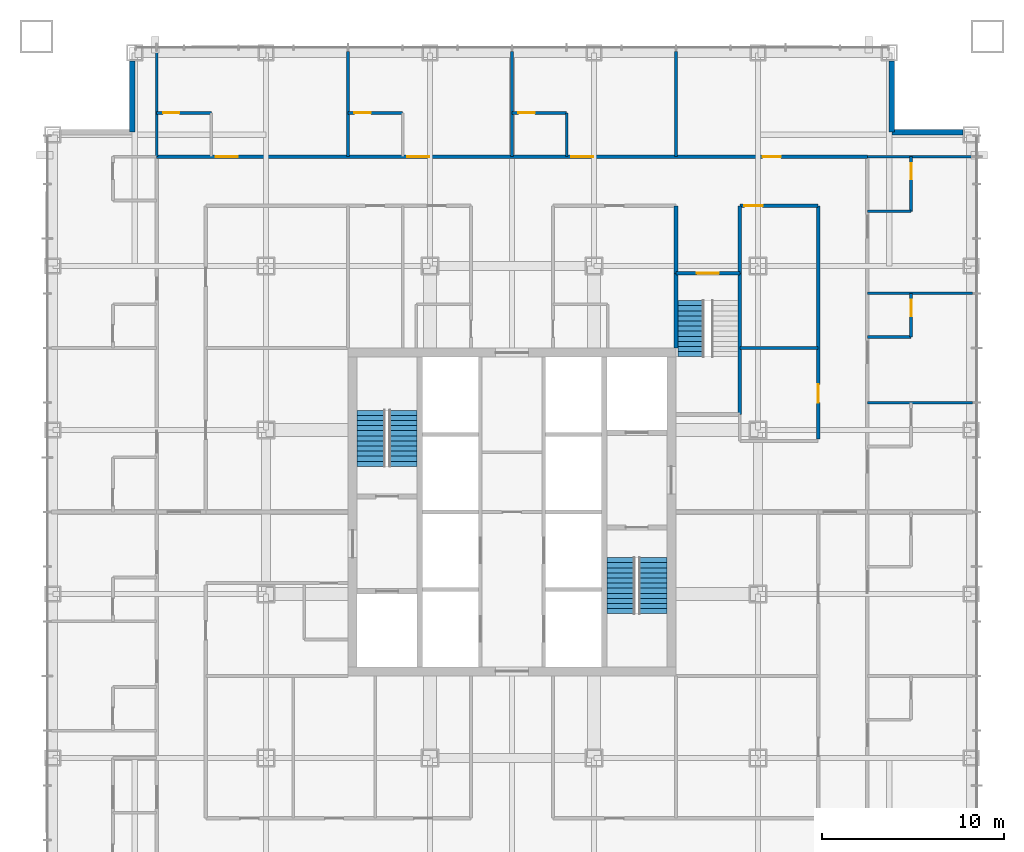
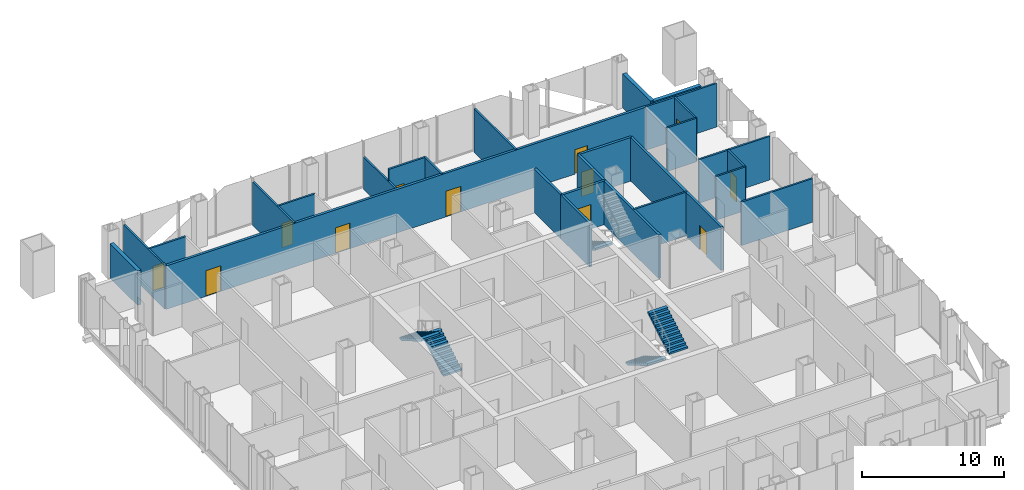
# One storey, part 11 of 13: 27 walls, 12 doors, 5 stair flights, 12 openings, 3 elements without a shape of their own.
"""IFC4 building model written with IfcOpenShell, lengths in metres."""

from ifc_helpers import new_model, si_unit, direction, frame, frame_2d, origin, place, context, subcontext, project, spatial, polyline, rectangle, outline, extrude, material, layer, layer_set, type_object, element, fill, aggregate, save


model = new_model("IFC4")

# Units and contexts
model_context = context("Model", 3, precision=1e-05, world=origin(), true_north=direction((0.0, 1.0)))
body_context = subcontext(model_context, "Body", "Model", "MODEL_VIEW")
ifc_project = project(units=[si_unit("LENGTHUNIT", "METRE"), si_unit("AREAUNIT", "SQUARE_METRE"), si_unit("VOLUMEUNIT", "CUBIC_METRE"), si_unit("PLANEANGLEUNIT", "RADIAN"), si_unit("MASSUNIT", "GRAM", prefix="KILO")], contexts=[model_context])

# Site, building, storey
site_placement = place(None, origin())
site = spatial("IfcSite", under=ifc_project, at=site_placement, CompositionType="ELEMENT")
building_placement = place(site_placement, origin())
building = spatial("IfcBuilding", under=site, at=building_placement, Name="Malebo Sky Hospital", CompositionType="ELEMENT")
storey_placement = place(building_placement, frame((0.0, 0.0, 35.0)))
storey = spatial("IfcBuildingStorey", under=building, at=storey_placement, Name="L07", CompositionType="ELEMENT", Elevation=35.0)

# Wall, openings, doors
ifc_material_1 = material(Name="Gypsum board on steel studs", Category="steel")
ifc_layer_1 = layer(ifc_material_1, 0.199951171875)
ifc_layer_set_1 = layer_set([ifc_layer_1], Name="CORRIDOR WALL 200")
wall_type_1 = type_object("IfcWallType", Name="CORRIDOR WALL 200", PredefinedType="PARTITIONING", material=ifc_layer_set_1)
wall_1_placement = place(storey_placement, frame((40.5, 81.5, 0.0), z_axis=(0.0, 0.0, 1.0), x_axis=(1.0, 0.0, 0.0)))
wall_1 = element("IfcWall", 1, at=wall_1_placement, inside=storey, type_object=wall_type_1, Name="Corridor Wall 200 NCO", PredefinedType="PARTITIONING", context=body_context, shape_type="SweptSolid", body=[
    extrude(rectangle(XDim=39.0, YDim=0.199951171875, at=frame_2d((19.5, 0.0))), origin(), (0.0, 0.0, 1.0), 3.75),
])
opening_1_placement = place(wall_1_placement, frame((3.25, 0.0, 0.0)))
opening_1 = element("IfcOpeningElement", 2, at=opening_1_placement, cuts=wall_1, Name="Opening D01", PredefinedType="OPENING", context=body_context, shape_type="SweptSolid", body=[
    extrude(rectangle(XDim=1.199951171875, YDim=2.199951171875, at=frame_2d((0.60009765625, 1.10009765625))), frame((0.0, 0.10986328125, 0.0), z_axis=(0.0, -1.0, 0.0), x_axis=(1.0, 0.0, 0.0)), (0.0, 0.0, 1.0), 0.219970703125),
])
opening_2_placement = place(wall_1_placement, frame((13.75, 0.0, 0.0)))
opening_2 = element("IfcOpeningElement", 3, at=opening_2_placement, cuts=wall_1, Name="Opening D01", PredefinedType="OPENING", context=body_context, shape_type="SweptSolid", body=[
    extrude(rectangle(XDim=1.199951171875, YDim=2.199951171875, at=frame_2d((0.60009765625, 1.10009765625))), frame((0.0, 0.10986328125, 0.0), z_axis=(0.0, -1.0, 0.0), x_axis=(1.0, 0.0, 0.0)), (0.0, 0.0, 1.0), 0.219970703125),
])
opening_3_placement = place(wall_1_placement, frame((22.75, 0.0, 0.0)))
opening_3 = element("IfcOpeningElement", 4, at=opening_3_placement, cuts=wall_1, Name="Opening D01", PredefinedType="OPENING", context=body_context, shape_type="SweptSolid", body=[
    extrude(rectangle(XDim=1.199951171875, YDim=2.199951171875, at=frame_2d((0.60009765625, 1.10009765625))), frame((0.0, 0.10986328125, 0.0), z_axis=(0.0, -1.0, 0.0), x_axis=(1.0, 0.0, 0.0)), (0.0, 0.0, 1.0), 0.219970703125),
])
opening_4_placement = place(wall_1_placement, frame((33.25, 0.0, 0.0)))
opening_4 = element("IfcOpeningElement", 5, at=opening_4_placement, cuts=wall_1, Name="Opening D03", PredefinedType="OPENING", context=body_context, shape_type="SweptSolid", body=[
    extrude(rectangle(XDim=1.0, YDim=2.10009765625, at=frame_2d((0.5, 1.050048828125))), frame((0.0, 0.10986328125, 0.0), z_axis=(0.0, -1.0, 0.0), x_axis=(1.0, 0.0, 0.0)), (0.0, 0.0, 1.0), 0.219970703125),
])
ifc_material_2 = material(Name="Hardwood-faced door leaf in steel frame", Category="steel")
door_type_1 = type_object("IfcDoorType", Name="BED DOOR 1200", OperationType="SINGLE_SWING_LEFT", PredefinedType="DOOR", material=ifc_material_2)
door_1_placement = place(opening_1_placement, origin())
door_1 = element("IfcDoor", 6, at=door_1_placement, inside=storey, type_object=door_type_1, Name="Observation bay door", OperationType="SINGLE_SWING_LEFT", OverallHeight=2.199951171875, OverallWidth=1.199951171875, PredefinedType="DOOR", context=body_context, shape_type="SweptSolid", body=[
    extrude(rectangle(XDim=1.199951171875, YDim=2.199951171875, at=frame_2d((0.60009765625, 1.10009765625))), frame((0.0, 0.02490234375, 0.0), z_axis=(0.0, -1.0, 0.0), x_axis=(1.0, 0.0, 0.0)), (0.0, 0.0, 1.0), 0.050048828125),
])
fill(opening_1, door_1)
door_2_placement = place(opening_2_placement, origin())
door_2 = element("IfcDoor", 7, at=door_2_placement, inside=storey, type_object=door_type_1, Name="Two-bed room door", OperationType="SINGLE_SWING_LEFT", OverallHeight=2.199951171875, OverallWidth=1.199951171875, PredefinedType="DOOR", context=body_context, shape_type="SweptSolid", body=[
    extrude(rectangle(XDim=1.199951171875, YDim=2.199951171875, at=frame_2d((0.60009765625, 1.10009765625))), frame((0.0, 0.02490234375, 0.0), z_axis=(0.0, -1.0, 0.0), x_axis=(1.0, 0.0, 0.0)), (0.0, 0.0, 1.0), 0.050048828125),
])
fill(opening_2, door_2)
door_3_placement = place(opening_3_placement, origin())
door_3 = element("IfcDoor", 8, at=door_3_placement, inside=storey, type_object=door_type_1, Name="Two-bed room door", OperationType="SINGLE_SWING_LEFT", OverallHeight=2.199951171875, OverallWidth=1.199951171875, PredefinedType="DOOR", context=body_context, shape_type="SweptSolid", body=[
    extrude(rectangle(XDim=1.199951171875, YDim=2.199951171875, at=frame_2d((0.60009765625, 1.10009765625))), frame((0.0, 0.02490234375, 0.0), z_axis=(0.0, -1.0, 0.0), x_axis=(1.0, 0.0, 0.0)), (0.0, 0.0, 1.0), 0.050048828125),
])
fill(opening_3, door_3)
door_type_2 = type_object("IfcDoorType", Name="ROOM DOOR 1000", OperationType="SINGLE_SWING_LEFT", PredefinedType="DOOR", material=ifc_material_2)
door_4_placement = place(opening_4_placement, origin())
door_4 = element("IfcDoor", 9, at=door_4_placement, inside=storey, type_object=door_type_2, Name="Patient day room door", OperationType="SINGLE_SWING_RIGHT", OverallHeight=2.10009765625, OverallWidth=1.0, PredefinedType="DOOR", context=body_context, shape_type="SweptSolid", body=[
    extrude(rectangle(XDim=1.0, YDim=2.10009765625, at=frame_2d((0.5, 1.050048828125))), frame((0.0, 0.02490234375, 0.0), z_axis=(0.0, -1.0, 0.0), x_axis=(1.0, 0.0, 0.0)), (0.0, 0.0, 1.0), 0.050048828125),
])
fill(opening_4, door_4)

# Wall, opening, door
wall_2_placement = place(storey_placement, frame((72.5, 78.800048828125, 0.0), z_axis=(0.0, 0.0, 1.0), x_axis=(1.0, 0.0, 0.0)))
wall_2 = element("IfcWall", 10, at=wall_2_placement, inside=storey, type_object=wall_type_1, Name="Corridor Wall 200 NCI2/2", PredefinedType="PARTITIONING", context=body_context, shape_type="SweptSolid", body=[
    extrude(rectangle(XDim=4.300048828125, YDim=0.199951171875, at=frame_2d((2.14990234375, 0.0))), origin(), (0.0, 0.0, 1.0), 3.75),
])
opening_5_placement = place(wall_2_placement, frame((0.25, 0.0, 0.0)))
opening_5 = element("IfcOpeningElement", 11, at=opening_5_placement, cuts=wall_2, Name="Opening D03", PredefinedType="OPENING", context=body_context, shape_type="SweptSolid", body=[
    extrude(rectangle(XDim=1.0, YDim=2.10009765625, at=frame_2d((0.5, 1.050048828125))), frame((0.0, 0.10986328125, 0.0), z_axis=(0.0, -1.0, 0.0), x_axis=(1.0, 0.0, 0.0)), (0.0, 0.0, 1.0), 0.219970703125),
])
door_5_placement = place(opening_5_placement, origin())
door_5 = element("IfcDoor", 12, at=door_5_placement, inside=storey, type_object=door_type_2, Name="Treatment room door", OperationType="SINGLE_SWING_LEFT", OverallHeight=2.10009765625, OverallWidth=1.0, PredefinedType="DOOR", context=body_context, shape_type="SweptSolid", body=[
    extrude(rectangle(XDim=1.0, YDim=2.10009765625, at=frame_2d((0.5, 1.050048828125))), frame((0.0, 0.02490234375, 0.0), z_axis=(0.0, -1.0, 0.0), x_axis=(1.0, 0.0, 0.0)), (0.0, 0.0, 1.0), 0.050048828125),
])
fill(opening_5, door_5)

wall_3_placement = place(storey_placement, frame((76.800048828125, 78.800048828125, 0.0), z_axis=(0.0, 0.0, 1.0), x_axis=(0.0, -1.0, 0.0)))
wall_3 = element("IfcWall", 13, at=wall_3_placement, inside=storey, type_object=wall_type_1, Name="Corridor Wall 200 ECI1", PredefinedType="PARTITIONING", context=body_context, shape_type="SweptSolid", body=[
    extrude(rectangle(XDim=12.800048828125, YDim=0.199951171875, at=frame_2d((6.39990234375, 0.0))), origin(), (0.0, 0.0, 1.0), 3.75),
])
opening_6_placement = place(wall_3_placement, frame((9.800048828125, 0.0, 0.0)))
opening_6 = element("IfcOpeningElement", 14, at=opening_6_placement, cuts=wall_3, Name="Opening D03", PredefinedType="OPENING", context=body_context, shape_type="SweptSolid", body=[
    extrude(rectangle(XDim=1.0, YDim=2.10009765625, at=frame_2d((0.5, 1.050048828125))), frame((0.0, 0.10986328125, 0.0), z_axis=(0.0, -1.0, 0.0), x_axis=(1.0, 0.0, 0.0)), (0.0, 0.0, 1.0), 0.219970703125),
])
door_6_placement = place(opening_6_placement, origin())
door_6 = element("IfcDoor", 15, at=door_6_placement, inside=storey, type_object=door_type_2, Name="Clean utility room door", OperationType="SINGLE_SWING_LEFT", OverallHeight=2.10009765625, OverallWidth=1.0, PredefinedType="DOOR", context=body_context, shape_type="SweptSolid", body=[
    extrude(rectangle(XDim=1.0, YDim=2.10009765625, at=frame_2d((0.5, 1.050048828125))), frame((0.0, 0.02490234375, 0.0), z_axis=(0.0, -1.0, 0.0), x_axis=(1.0, 0.0, 0.0)), (0.0, 0.0, 1.0), 0.050048828125),
])
fill(opening_6, door_6)

# Walls
for number, where, z_axis, x_axis, name in (
    (16, (69.0, 75.10009765625, 0.0), (0.0, 0.0, 1.0), (0.0, 1.0, 0.0), "Corridor Wall 200 ST3AW"),
    (17, (72.5, 75.10009765625, 0.0), (0.0, 0.0, 1.0), (0.0, 1.0, 0.0), "Corridor Wall 200 ST3AE"),
):
    element("IfcWall", number, at=place(storey_placement, frame(where, z_axis=z_axis, x_axis=x_axis)), inside=storey, type_object=wall_type_1, Name=name, PredefinedType="PARTITIONING", context=body_context, shape_type="SweptSolid", body=[
        extrude(rectangle(XDim=3.699951171875, YDim=0.199951171875, at=frame_2d((1.85009765625, 0.0))), origin(), (0.0, 0.0, 1.0), 3.75),
    ])
ifc_material_3 = material(Name="Anodised aluminium rainscreen on steel framing", Category="steel")
ifc_layer_2 = layer(ifc_material_3, 0.300048828125)
ifc_layer_set_2 = layer_set([ifc_layer_2], Name="NOTCH RAINSCREEN WALL 300")
wall_type_2 = type_object("IfcWallType", Name="NOTCH RAINSCREEN WALL 300", PredefinedType="ELEMENTEDWALL", material=ifc_layer_set_2)
for number, where, z_axis, x_axis, name in (
    (18, (80.85009765625, 86.75, 0.0), (0.0, 0.0, 1.0), (0.0, -1.0, 0.0), "Notch rainscreen wall N1 L07"),
    (19, (80.85009765625, 82.85009765625, 0.0), (0.0, 0.0, 1.0), (1.0, 0.0, 0.0), "Notch rainscreen wall N2 L07"),
    (20, (39.14990234375, 82.85009765625, 0.0), (0.0, 0.0, 1.0), (0.0, 1.0, 0.0), "Notch rainscreen wall W2 L07"),
):
    element("IfcWall", number, at=place(storey_placement, frame(where, z_axis=z_axis, x_axis=x_axis)), inside=storey, type_object=wall_type_2, Name=name, PredefinedType="ELEMENTEDWALL", context=body_context, shape_type="SweptSolid", body=[
        extrude(rectangle(XDim=3.89990234375, YDim=0.300048828125, at=frame_2d((1.949951171875, 0.0))), origin(), (0.0, 0.0, 1.0), 2.949951171875),
    ])
ifc_layer_3 = layer(ifc_material_1, 0.14990234375)
ifc_layer_set_3 = layer_set([ifc_layer_3], Name="PARTITION 150")
wall_type_3 = type_object("IfcWallType", Name="PARTITION 150", PredefinedType="PARTITIONING", material=ifc_layer_set_3)
wall_4_placement = place(storey_placement, frame((51.0, 81.5, 0.0), z_axis=(0.0, 0.0, 1.0), x_axis=(0.0, 1.0, 0.0)))
element("IfcWall", 21, at=wall_4_placement, inside=storey, type_object=wall_type_3, Name="Partition 150 NP-9.0", PredefinedType="PARTITIONING", context=body_context, shape_type="SweptSolid", body=[
    extrude(rectangle(XDim=5.77490234375, YDim=0.14990234375, at=frame_2d((2.887451171875, 0.0))), origin(), (0.0, 0.0, 1.0), 3.75),
])
wall_5_placement = place(storey_placement, frame((60.0, 81.5, 0.0), z_axis=(0.0, 0.0, 1.0), x_axis=(0.0, 1.0, 0.0)))
element("IfcWall", 22, at=wall_5_placement, inside=storey, type_object=wall_type_3, Name="Partition 150 NP+0.0", PredefinedType="PARTITIONING", context=body_context, shape_type="SweptSolid", body=[
    extrude(rectangle(XDim=5.77490234375, YDim=0.14990234375, at=frame_2d((2.887451171875, 0.0))), origin(), (0.0, 0.0, 1.0), 2.75),
])
for number, where, z_axis, x_axis, name in (
    (23, (69.0, 81.5, 0.0), (0.0, 0.0, 1.0), (0.0, 1.0, 0.0), "Partition 150 NP+9.0"),
    (24, (40.5, 81.5, 0.0), (0.0, 0.0, 1.0), (0.0, 1.0, 0.0), "Partition 150 NP0"),
):
    element("IfcWall", number, at=place(storey_placement, frame(where, z_axis=z_axis, x_axis=x_axis)), inside=storey, type_object=wall_type_3, Name=name, PredefinedType="PARTITIONING", context=body_context, shape_type="SweptSolid", body=[
        extrude(rectangle(XDim=5.77490234375, YDim=0.14990234375, at=frame_2d((2.887451171875, 0.0))), origin(), (0.0, 0.0, 1.0), 3.75),
    ])

# Wall, opening, door
wall_6_placement = place(storey_placement, frame((40.5, 83.89990234375, 0.0), z_axis=(0.0, 0.0, 1.0), x_axis=(1.0, 0.0, 0.0)))
wall_6 = element("IfcWall", 25, at=wall_6_placement, inside=storey, type_object=wall_type_3, Name="Partition 150 NE0F", PredefinedType="PARTITIONING", context=body_context, shape_type="SweptSolid", body=[
    extrude(rectangle(XDim=3.0, YDim=0.14990234375, at=frame_2d((1.5, 0.0))), origin(), (0.0, 0.0, 1.0), 3.75),
])
opening_7_placement = place(wall_6_placement, frame((0.35009765625, 0.0, 0.0)))
opening_7 = element("IfcOpeningElement", 26, at=opening_7_placement, cuts=wall_6, Name="Opening D02", PredefinedType="OPENING", context=body_context, shape_type="SweptSolid", body=[
    extrude(rectangle(XDim=0.89990234375, YDim=2.10009765625, at=frame_2d((0.449951171875, 1.050048828125))), frame((0.0, 0.0849609375, 0.0), z_axis=(0.0, -1.0, 0.0), x_axis=(1.0, 0.0, 0.0)), (0.0, 0.0, 1.0), 0.169921875),
])
door_type_3 = type_object("IfcDoorType", Name="EN-SUITE DOOR 900", OperationType="SINGLE_SWING_LEFT", PredefinedType="DOOR", material=ifc_material_2)
door_7_placement = place(opening_7_placement, origin())
door_7 = element("IfcDoor", 27, at=door_7_placement, inside=storey, type_object=door_type_3, Name="En-suite door", OperationType="SINGLE_SWING_LEFT", OverallHeight=2.10009765625, OverallWidth=0.89990234375, PredefinedType="DOOR", context=body_context, shape_type="SweptSolid", body=[
    extrude(rectangle(XDim=0.89990234375, YDim=2.10009765625, at=frame_2d((0.449951171875, 1.050048828125))), frame((0.0, 0.02490234375, 0.0), z_axis=(0.0, -1.0, 0.0), x_axis=(1.0, 0.0, 0.0)), (0.0, 0.0, 1.0), 0.050048828125),
])
fill(opening_7, door_7)

wall_7_placement = place(storey_placement, frame((51.0, 83.89990234375, 0.0), z_axis=(0.0, 0.0, 1.0), x_axis=(1.0, 0.0, 0.0)))
wall_7 = element("IfcWall", 28, at=wall_7_placement, inside=storey, type_object=wall_type_3, Name="Partition 150 NE1F", PredefinedType="PARTITIONING", context=body_context, shape_type="SweptSolid", body=[
    extrude(rectangle(XDim=3.0, YDim=0.14990234375, at=frame_2d((1.5, 0.0))), origin(), (0.0, 0.0, 1.0), 3.75),
])
opening_8_placement = place(wall_7_placement, frame((0.35009765625, 0.0, 0.0)))
opening_8 = element("IfcOpeningElement", 29, at=opening_8_placement, cuts=wall_7, Name="Opening D02", PredefinedType="OPENING", context=body_context, shape_type="SweptSolid", body=[
    extrude(rectangle(XDim=0.89990234375, YDim=2.10009765625, at=frame_2d((0.449951171875, 1.050048828125))), frame((0.0, 0.0849609375, 0.0), z_axis=(0.0, -1.0, 0.0), x_axis=(1.0, 0.0, 0.0)), (0.0, 0.0, 1.0), 0.169921875),
])
door_8_placement = place(opening_8_placement, origin())
door_8 = element("IfcDoor", 30, at=door_8_placement, inside=storey, type_object=door_type_3, Name="En-suite door", OperationType="SINGLE_SWING_LEFT", OverallHeight=2.10009765625, OverallWidth=0.89990234375, PredefinedType="DOOR", context=body_context, shape_type="SweptSolid", body=[
    extrude(rectangle(XDim=0.89990234375, YDim=2.10009765625, at=frame_2d((0.449951171875, 1.050048828125))), frame((0.0, 0.02490234375, 0.0), z_axis=(0.0, -1.0, 0.0), x_axis=(1.0, 0.0, 0.0)), (0.0, 0.0, 1.0), 0.050048828125),
])
fill(opening_8, door_8)

wall_8_placement = place(storey_placement, frame((60.0, 83.89990234375, 0.0), z_axis=(0.0, 0.0, 1.0), x_axis=(1.0, 0.0, 0.0)))
wall_8 = element("IfcWall", 31, at=wall_8_placement, inside=storey, type_object=wall_type_3, Name="Partition 150 NE2F", PredefinedType="PARTITIONING", context=body_context, shape_type="SweptSolid", body=[
    extrude(rectangle(XDim=3.0, YDim=0.14990234375, at=frame_2d((1.5, 0.0))), origin(), (0.0, 0.0, 1.0), 3.75),
])
opening_9_placement = place(wall_8_placement, frame((0.35009765625, 0.0, 0.0)))
opening_9 = element("IfcOpeningElement", 32, at=opening_9_placement, cuts=wall_8, Name="Opening D02", PredefinedType="OPENING", context=body_context, shape_type="SweptSolid", body=[
    extrude(rectangle(XDim=0.89990234375, YDim=2.10009765625, at=frame_2d((0.449951171875, 1.050048828125))), frame((0.0, 0.0849609375, 0.0), z_axis=(0.0, -1.0, 0.0), x_axis=(1.0, 0.0, 0.0)), (0.0, 0.0, 1.0), 0.169921875),
])
door_9_placement = place(opening_9_placement, origin())
door_9 = element("IfcDoor", 33, at=door_9_placement, inside=storey, type_object=door_type_3, Name="En-suite door", OperationType="SINGLE_SWING_LEFT", OverallHeight=2.10009765625, OverallWidth=0.89990234375, PredefinedType="DOOR", context=body_context, shape_type="SweptSolid", body=[
    extrude(rectangle(XDim=0.89990234375, YDim=2.10009765625, at=frame_2d((0.449951171875, 1.050048828125))), frame((0.0, 0.02490234375, 0.0), z_axis=(0.0, -1.0, 0.0), x_axis=(1.0, 0.0, 0.0)), (0.0, 0.0, 1.0), 0.050048828125),
])
fill(opening_9, door_9)

# Walls
wall_9_placement = place(storey_placement, frame((63.0, 81.5, 0.0), z_axis=(0.0, 0.0, 1.0), x_axis=(0.0, 1.0, 0.0)))
element("IfcWall", 34, at=wall_9_placement, inside=storey, type_object=wall_type_3, Name="Partition 150 NE2S", PredefinedType="PARTITIONING", context=body_context, shape_type="SweptSolid", body=[
    extrude(rectangle(XDim=2.39990234375, YDim=0.14990234375, at=frame_2d((1.199951171875, 0.0))), origin(), (0.0, 0.0, 1.0), 3.75),
])
for number, where, z_axis, x_axis, name in (
    (35, (79.5, 74.0, 0.0), (0.0, 0.0, 1.0), (1.0, 0.0, 0.0), "Partition 150 EP-12.0"),
    (36, (79.5, 68.0, 0.0), (0.0, 0.0, 1.0), (1.0, 0.0, 0.0), "Partition 150 EP-6.0"),
    (37, (79.5, 81.5, 0.0), (0.0, 0.0, 1.0), (1.0, 0.0, 0.0), "Partition 150 EP0"),
):
    element("IfcWall", number, at=place(storey_placement, frame(where, z_axis=z_axis, x_axis=x_axis)), inside=storey, type_object=wall_type_3, Name=name, PredefinedType="PARTITIONING", context=body_context, shape_type="SweptSolid", body=[
        extrude(rectangle(XDim=5.77490234375, YDim=0.14990234375, at=frame_2d((2.887451171875, 0.0))), origin(), (0.0, 0.0, 1.0), 3.75),
    ])

# Wall, opening, door
wall_10_placement = place(storey_placement, frame((81.89990234375, 81.5, 0.0), z_axis=(0.0, 0.0, 1.0), x_axis=(0.0, -1.0, 0.0)))
wall_10 = element("IfcWall", 38, at=wall_10_placement, inside=storey, type_object=wall_type_3, Name="Partition 150 EE0F", PredefinedType="PARTITIONING", context=body_context, shape_type="SweptSolid", body=[
    extrude(rectangle(XDim=3.0, YDim=0.14990234375, at=frame_2d((1.5, 0.0))), origin(), (0.0, 0.0, 1.0), 3.75),
])
opening_10_placement = place(wall_10_placement, frame((0.35009765625, 0.0, 0.0)))
opening_10 = element("IfcOpeningElement", 39, at=opening_10_placement, cuts=wall_10, Name="Opening D02", PredefinedType="OPENING", context=body_context, shape_type="SweptSolid", body=[
    extrude(rectangle(XDim=0.89990234375, YDim=2.10009765625, at=frame_2d((0.449951171875, 1.050048828125))), frame((0.0, 0.0849609375, 0.0), z_axis=(0.0, -1.0, 0.0), x_axis=(1.0, 0.0, 0.0)), (0.0, 0.0, 1.0), 0.169921875),
])
door_10_placement = place(opening_10_placement, origin())
door_10 = element("IfcDoor", 40, at=door_10_placement, inside=storey, type_object=door_type_3, Name="En-suite door", OperationType="SINGLE_SWING_LEFT", OverallHeight=2.10009765625, OverallWidth=0.89990234375, PredefinedType="DOOR", context=body_context, shape_type="SweptSolid", body=[
    extrude(rectangle(XDim=0.89990234375, YDim=2.10009765625, at=frame_2d((0.449951171875, 1.050048828125))), frame((0.0, 0.02490234375, 0.0), z_axis=(0.0, -1.0, 0.0), x_axis=(1.0, 0.0, 0.0)), (0.0, 0.0, 1.0), 0.050048828125),
])
fill(opening_10, door_10)

# Wall
wall_11_placement = place(storey_placement, frame((79.5, 78.5, 0.0), z_axis=(0.0, 0.0, 1.0), x_axis=(1.0, 0.0, 0.0)))
element("IfcWall", 41, at=wall_11_placement, inside=storey, type_object=wall_type_3, Name="Partition 150 EE0S", PredefinedType="PARTITIONING", context=body_context, shape_type="SweptSolid", body=[
    extrude(rectangle(XDim=2.39990234375, YDim=0.14990234375, at=frame_2d((1.199951171875, 0.0))), origin(), (0.0, 0.0, 1.0), 3.75),
])

# Wall, opening, door
wall_12_placement = place(storey_placement, frame((81.89990234375, 74.0, 0.0), z_axis=(0.0, 0.0, 1.0), x_axis=(0.0, -1.0, 0.0)))
wall_12 = element("IfcWall", 42, at=wall_12_placement, inside=storey, type_object=wall_type_3, Name="Partition 150 EE1F", PredefinedType="PARTITIONING", context=body_context, shape_type="SweptSolid", body=[
    extrude(rectangle(XDim=2.39990234375, YDim=0.14990234375, at=frame_2d((1.199951171875, 0.0))), origin(), (0.0, 0.0, 1.0), 3.75),
])
opening_11_placement = place(wall_12_placement, frame((0.35009765625, 0.0, 0.0)))
opening_11 = element("IfcOpeningElement", 43, at=opening_11_placement, cuts=wall_12, Name="Opening D02", PredefinedType="OPENING", context=body_context, shape_type="SweptSolid", body=[
    extrude(rectangle(XDim=0.89990234375, YDim=2.10009765625, at=frame_2d((0.449951171875, 1.050048828125))), frame((0.0, 0.0849609375, 0.0), z_axis=(0.0, -1.0, 0.0), x_axis=(1.0, 0.0, 0.0)), (0.0, 0.0, 1.0), 0.169921875),
])
door_11_placement = place(opening_11_placement, origin())
door_11 = element("IfcDoor", 44, at=door_11_placement, inside=storey, type_object=door_type_3, Name="En-suite door", OperationType="SINGLE_SWING_LEFT", OverallHeight=2.10009765625, OverallWidth=0.89990234375, PredefinedType="DOOR", context=body_context, shape_type="SweptSolid", body=[
    extrude(rectangle(XDim=0.89990234375, YDim=2.10009765625, at=frame_2d((0.449951171875, 1.050048828125))), frame((0.0, 0.02490234375, 0.0), z_axis=(0.0, -1.0, 0.0), x_axis=(1.0, 0.0, 0.0)), (0.0, 0.0, 1.0), 0.050048828125),
])
fill(opening_11, door_11)

# Walls
wall_13_placement = place(storey_placement, frame((79.5, 71.60009765625, 0.0), z_axis=(0.0, 0.0, 1.0), x_axis=(1.0, 0.0, 0.0)))
element("IfcWall", 45, at=wall_13_placement, inside=storey, type_object=wall_type_3, Name="Partition 150 EE1S", PredefinedType="PARTITIONING", context=body_context, shape_type="SweptSolid", body=[
    extrude(rectangle(XDim=2.39990234375, YDim=0.14990234375, at=frame_2d((1.199951171875, 0.0))), origin(), (0.0, 0.0, 1.0), 3.75),
])
wall_14_placement = place(storey_placement, frame((72.5, 71.0, 0.0), z_axis=(0.0, 0.0, 1.0), x_axis=(1.0, 0.0, 0.0)))
element("IfcWall", 46, at=wall_14_placement, inside=storey, type_object=wall_type_3, Name="Partition 150 ESP0", PredefinedType="PARTITIONING", context=body_context, shape_type="SweptSolid", body=[
    extrude(rectangle(XDim=4.300048828125, YDim=0.14990234375, at=frame_2d((2.14990234375, 0.0))), origin(), (0.0, 0.0, 1.0), 3.75),
])
ifc_material_4 = material(Name="Concrete C40/50", Category="concrete")
ifc_layer_4 = layer(ifc_material_4, 0.199951171875)
ifc_layer_set_4 = layer_set([ifc_layer_4], Name="STAIR ENCLOSURE WALL 200")
wall_type_4 = type_object("IfcWallType", Name="STAIR ENCLOSURE WALL 200", PredefinedType="SOLIDWALL", material=ifc_layer_set_4)
wall_15_placement = place(storey_placement, frame((69.0, 71.0, 0.0), z_axis=(0.0, 0.0, 1.0), x_axis=(0.0, 1.0, 0.0)))
element("IfcWall", 47, at=wall_15_placement, inside=storey, type_object=wall_type_4, Name="Stair Enclosure Wall 200 ST3W", PredefinedType="SOLIDWALL", context=body_context, shape_type="SweptSolid", body=[
    extrude(rectangle(XDim=4.10009765625, YDim=0.199951171875, at=frame_2d((2.050048828125, 0.0))), origin(), (0.0, 0.0, 1.0), 3.75),
])
wall_16_placement = place(storey_placement, frame((72.5, 67.35009765625, 0.0), z_axis=(0.0, 0.0, 1.0), x_axis=(0.0, 1.0, 0.0)))
element("IfcWall", 48, at=wall_16_placement, inside=storey, type_object=wall_type_4, Name="Stair Enclosure Wall 200 ST3E", PredefinedType="SOLIDWALL", context=body_context, shape_type="SweptSolid", body=[
    extrude(rectangle(XDim=7.75, YDim=0.199951171875, at=frame_2d((3.875, 0.0))), origin(), (0.0, 0.0, 1.0), 3.75),
])

# Wall, opening, door
wall_17_placement = place(storey_placement, frame((69.0, 75.10009765625, 0.0), z_axis=(0.0, 0.0, 1.0), x_axis=(1.0, 0.0, 0.0)))
wall_17 = element("IfcWall", 49, at=wall_17_placement, inside=storey, type_object=wall_type_4, Name="Stair Enclosure Wall 200 ST3N", PredefinedType="SOLIDWALL", context=body_context, shape_type="SweptSolid", body=[
    extrude(rectangle(XDim=3.5, YDim=0.199951171875, at=frame_2d((1.75, 0.0))), origin(), (0.0, 0.0, 1.0), 3.75),
])
opening_12_placement = place(wall_17_placement, frame((1.14990234375, 0.0, 0.0)))
opening_12 = element("IfcOpeningElement", 50, at=opening_12_placement, cuts=wall_17, Name="Opening D08", PredefinedType="OPENING", context=body_context, shape_type="SweptSolid", body=[
    extrude(rectangle(XDim=1.199951171875, YDim=2.10009765625, at=frame_2d((0.60009765625, 1.050048828125))), frame((0.0, 0.10986328125, 0.0), z_axis=(0.0, -1.0, 0.0), x_axis=(1.0, 0.0, 0.0)), (0.0, 0.0, 1.0), 0.219970703125),
])
door_type_4 = type_object("IfcDoorType", Name="STAIR DOOR 1200", OperationType="SINGLE_SWING_LEFT", PredefinedType="DOOR", material=ifc_material_2)
door_12_placement = place(opening_12_placement, origin())
door_12 = element("IfcDoor", 51, at=door_12_placement, inside=storey, type_object=door_type_4, Name="Stair S3 door", OperationType="SINGLE_SWING_LEFT", OverallHeight=2.10009765625, OverallWidth=1.199951171875, PredefinedType="DOOR", context=body_context, shape_type="SweptSolid", body=[
    extrude(rectangle(XDim=1.199951171875, YDim=2.10009765625, at=frame_2d((0.60009765625, 1.050048828125))), frame((0.0, 0.02490234375, 0.0), z_axis=(0.0, -1.0, 0.0), x_axis=(1.0, 0.0, 0.0)), (0.0, 0.0, 1.0), 0.050048828125),
])
fill(opening_12, door_12)

# Stair, stair flight
stair_type_1 = type_object("IfcStairType", Name="HALF-TURN STAIR 1400 R167", PredefinedType="HALF_TURN_STAIR", material=ifc_material_4)
stair_1_placement = place(storey_placement, origin())
stair_1 = element("IfcStair", 52, at=stair_1_placement, inside=storey, type_object=stair_type_1, Name="Stair S3 L07 type ST1B", PredefinedType="HALF_TURN_STAIR")
stair_flight_type_1 = type_object("IfcStairFlightType", Name="STAIR FLIGHT 1400 R167", PredefinedType="STRAIGHT", material=ifc_material_4)
stair_flight_1_placement = place(storey_placement, frame((69.800048828125, 73.60009765625, 0.0), z_axis=(0.0, 0.0, 1.0), x_axis=(0.0, -1.0, 0.0)))
stair_flight_1 = element("IfcStairFlight", 53, at=stair_flight_1_placement, type_object=stair_flight_type_1, Name="S3 flight 1 type SF1B", NumberOfRisers=12, NumberOfTreads=11, PredefinedType="STRAIGHT", RiserHeight=0.166666667, TreadLength=0.28, context=body_context, shape_type="SweptSolid", body=[
    extrude(outline(polyline([(0.0, 0.0), (0.0, 0.166748046875), (0.280029296875, 0.166748046875), (0.280029296875, 0.333251953125), (0.56005859375, 0.333251953125), (0.56005859375, 0.5), (0.840087890625, 0.5), (0.840087890625, 0.666748046875), (1.1201171875, 0.666748046875), (1.1201171875, 0.833251953125), (1.39990234375, 0.833251953125), (1.39990234375, 1.0), (1.679931640625, 1.0), (1.679931640625, 1.166748046875), (1.9599609375, 1.166748046875), (1.9599609375, 1.333251953125), (2.239990234375, 1.333251953125), (2.239990234375, 1.5), (2.52001953125, 1.5), (2.52001953125, 1.666748046875), (2.800048828125, 1.666748046875), (2.800048828125, 1.833251953125), (3.080078125, 1.833251953125), (3.080078125, 2.0), (3.080078125, 1.658935546875), (0.29296875, 0.0), (0.0, 0.0)])), frame((0.0, 0.699951171875, 0.0), z_axis=(0.0, -1.0, 0.0), x_axis=(1.0, 0.0, 0.0)), (0.0, 0.0, 1.0), 1.39990234375),
])
aggregate(stair_1, [stair_flight_1])

# Stair, stair flights
stair_type_2 = type_object("IfcStairType", Name="HALF-TURN STAIR 1500 R167", PredefinedType="HALF_TURN_STAIR", material=ifc_material_4)
stair_2_placement = place(storey_placement, origin())
stair_2 = element("IfcStair", 54, at=stair_2_placement, inside=storey, type_object=stair_type_2, Name="Stair S1 L07 type ST1", PredefinedType="HALF_TURN_STAIR")
stair_flight_type_2 = type_object("IfcStairFlightType", Name="STAIR FLIGHT 1500 R167", PredefinedType="STRAIGHT", material=ifc_material_4)
stair_flight_2_placement = place(storey_placement, frame((54.050048828125, 64.5, 0.0), z_axis=(0.0, 0.0, 1.0), x_axis=(0.0, 1.0, 0.0)))
stair_flight_2 = element("IfcStairFlight", 55, at=stair_flight_2_placement, type_object=stair_flight_type_2, Name="S1 flight 1 type SF1", NumberOfRisers=12, NumberOfTreads=11, PredefinedType="STRAIGHT", RiserHeight=0.166666667, TreadLength=0.28, context=body_context, shape_type="SweptSolid", body=[
    extrude(outline(polyline([(0.0, 0.0), (0.0, 0.166748046875), (0.280029296875, 0.166748046875), (0.280029296875, 0.333251953125), (0.56005859375, 0.333251953125), (0.56005859375, 0.5), (0.840087890625, 0.5), (0.840087890625, 0.666748046875), (1.1201171875, 0.666748046875), (1.1201171875, 0.833251953125), (1.39990234375, 0.833251953125), (1.39990234375, 1.0), (1.679931640625, 1.0), (1.679931640625, 1.166748046875), (1.9599609375, 1.166748046875), (1.9599609375, 1.333251953125), (2.239990234375, 1.333251953125), (2.239990234375, 1.5), (2.52001953125, 1.5), (2.52001953125, 1.666748046875), (2.800048828125, 1.666748046875), (2.800048828125, 1.833251953125), (3.080078125, 1.833251953125), (3.080078125, 2.0), (3.080078125, 1.658935546875), (0.29296875, 0.0), (0.0, 0.0)])), frame((0.0, 0.75, 0.0), z_axis=(0.0, -1.0, 0.0), x_axis=(1.0, 0.0, 0.0)), (0.0, 0.0, 1.0), 1.5),
])
stair_flight_3_placement = place(storey_placement, frame((52.25, 67.580078125, 2.0), z_axis=(0.0, 0.0, 1.0), x_axis=(0.0, -1.0, 0.0)))
stair_flight_3 = element("IfcStairFlight", 56, at=stair_flight_3_placement, type_object=stair_flight_type_2, Name="S1 flight 2 type SF1", NumberOfRisers=12, NumberOfTreads=11, PredefinedType="STRAIGHT", RiserHeight=0.166666667, TreadLength=0.28, context=body_context, shape_type="SweptSolid", body=[
    extrude(outline(polyline([(0.0, 0.0), (0.0, 0.166748046875), (0.280029296875, 0.166748046875), (0.280029296875, 0.333251953125), (0.56005859375, 0.333251953125), (0.56005859375, 0.5), (0.840087890625, 0.5), (0.840087890625, 0.666748046875), (1.1201171875, 0.666748046875), (1.1201171875, 0.833251953125), (1.39990234375, 0.833251953125), (1.39990234375, 1.0), (1.679931640625, 1.0), (1.679931640625, 1.166748046875), (1.9599609375, 1.166748046875), (1.9599609375, 1.333251953125), (2.239990234375, 1.333251953125), (2.239990234375, 1.5), (2.52001953125, 1.5), (2.52001953125, 1.666748046875), (2.800048828125, 1.666748046875), (2.800048828125, 1.833251953125), (3.080078125, 1.833251953125), (3.080078125, 2.0), (3.080078125, 1.658935546875), (0.29296875, 0.0), (0.0, 0.0)])), frame((0.0, 0.75, 0.0), z_axis=(0.0, -1.0, 0.0), x_axis=(1.0, 0.0, 0.0)), (0.0, 0.0, 1.0), 1.5),
])
aggregate(stair_2, [stair_flight_2, stair_flight_3])

stair_3_placement = place(storey_placement, origin())
stair_3 = element("IfcStair", 57, at=stair_3_placement, inside=storey, type_object=stair_type_2, Name="Stair S2 L07 type ST1", PredefinedType="HALF_TURN_STAIR")
stair_flight_4_placement = place(storey_placement, frame((65.949951171875, 59.5, 0.0), z_axis=(0.0, 0.0, 1.0), x_axis=(0.0, -1.0, 0.0)))
stair_flight_4 = element("IfcStairFlight", 58, at=stair_flight_4_placement, type_object=stair_flight_type_2, Name="S2 flight 1 type SF1", NumberOfRisers=12, NumberOfTreads=11, PredefinedType="STRAIGHT", RiserHeight=0.166666667, TreadLength=0.28, context=body_context, shape_type="SweptSolid", body=[
    extrude(outline(polyline([(0.0, 0.0), (0.0, 0.166748046875), (0.280029296875, 0.166748046875), (0.280029296875, 0.333251953125), (0.56005859375, 0.333251953125), (0.56005859375, 0.5), (0.840087890625, 0.5), (0.840087890625, 0.666748046875), (1.1201171875, 0.666748046875), (1.1201171875, 0.833251953125), (1.39990234375, 0.833251953125), (1.39990234375, 1.0), (1.679931640625, 1.0), (1.679931640625, 1.166748046875), (1.9599609375, 1.166748046875), (1.9599609375, 1.333251953125), (2.239990234375, 1.333251953125), (2.239990234375, 1.5), (2.52001953125, 1.5), (2.52001953125, 1.666748046875), (2.800048828125, 1.666748046875), (2.800048828125, 1.833251953125), (3.080078125, 1.833251953125), (3.080078125, 2.0), (3.080078125, 1.658935546875), (0.29296875, 0.0), (0.0, 0.0)])), frame((0.0, 0.75, 0.0), z_axis=(0.0, -1.0, 0.0), x_axis=(1.0, 0.0, 0.0)), (0.0, 0.0, 1.0), 1.5),
])
stair_flight_5_placement = place(storey_placement, frame((67.75, 56.419921875, 2.0), z_axis=(0.0, 0.0, 1.0), x_axis=(0.0, 1.0, 0.0)))
stair_flight_5 = element("IfcStairFlight", 59, at=stair_flight_5_placement, type_object=stair_flight_type_2, Name="S2 flight 2 type SF1", NumberOfRisers=12, NumberOfTreads=11, PredefinedType="STRAIGHT", RiserHeight=0.166666667, TreadLength=0.28, context=body_context, shape_type="SweptSolid", body=[
    extrude(outline(polyline([(0.0, 0.0), (0.0, 0.166748046875), (0.280029296875, 0.166748046875), (0.280029296875, 0.333251953125), (0.56005859375, 0.333251953125), (0.56005859375, 0.5), (0.840087890625, 0.5), (0.840087890625, 0.666748046875), (1.1201171875, 0.666748046875), (1.1201171875, 0.833251953125), (1.39990234375, 0.833251953125), (1.39990234375, 1.0), (1.679931640625, 1.0), (1.679931640625, 1.166748046875), (1.9599609375, 1.166748046875), (1.9599609375, 1.333251953125), (2.239990234375, 1.333251953125), (2.239990234375, 1.5), (2.52001953125, 1.5), (2.52001953125, 1.666748046875), (2.800048828125, 1.666748046875), (2.800048828125, 1.833251953125), (3.080078125, 1.833251953125), (3.080078125, 2.0), (3.080078125, 1.658935546875), (0.29296875, 0.0), (0.0, 0.0)])), frame((0.0, 0.75, 0.0), z_axis=(0.0, -1.0, 0.0), x_axis=(1.0, 0.0, 0.0)), (0.0, 0.0, 1.0), 1.5),
])
aggregate(stair_3, [stair_flight_4, stair_flight_5])

save(model, "model.ifc")
